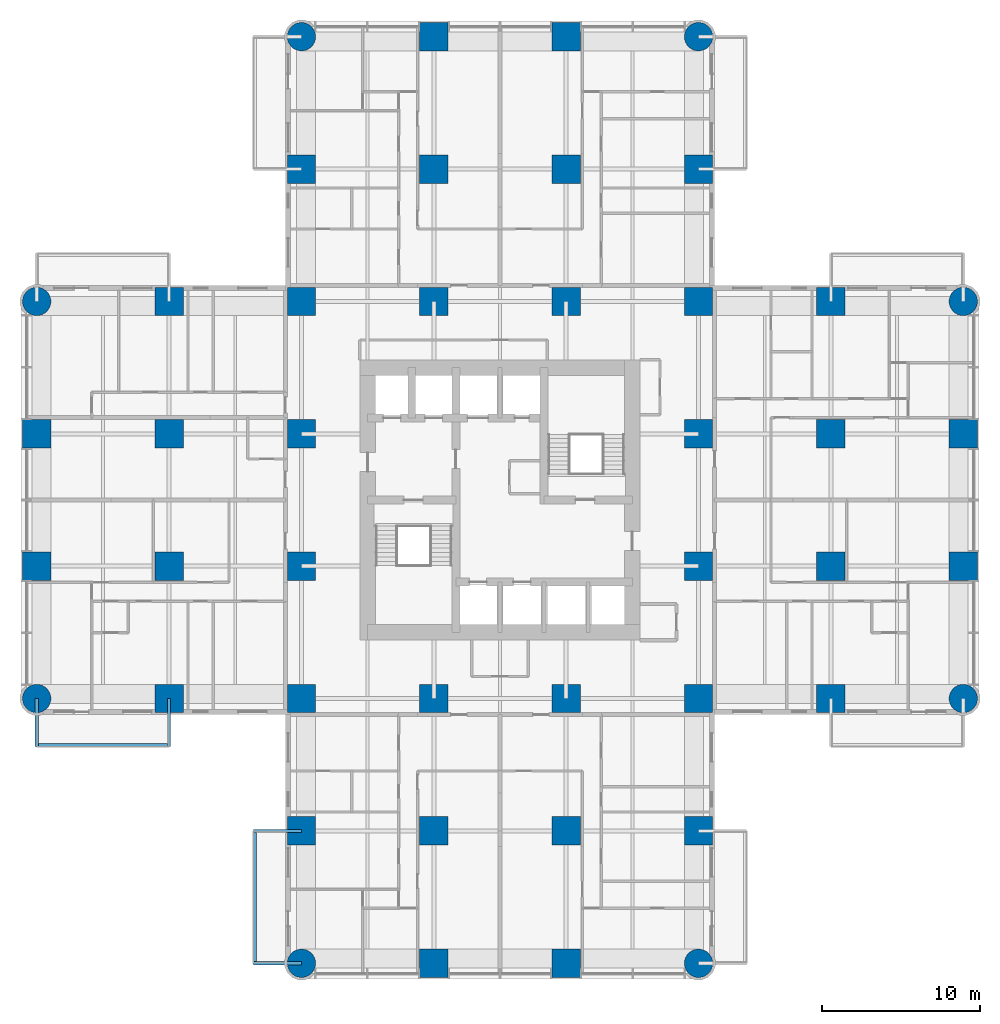
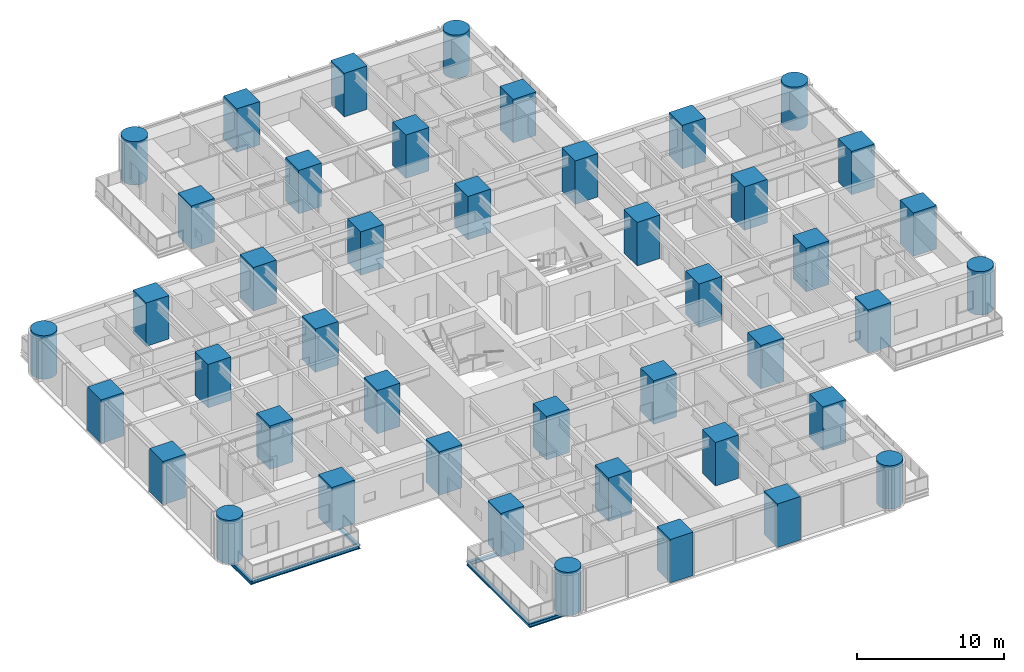
# One storey, part 1 of 17: 44 columns, 6 beams.
"""IFC4 building model written with IfcOpenShell, lengths in metres."""

from ifc_helpers import new_model, si_unit, direction, frame, origin, origin_2d, place, context, subcontext, project, spatial, rectangle, circle, i_section, extrude, material, material_profile, profile_set, type_object, element, save


model = new_model("IFC4")

# Units and contexts
model_context = context("Model", 3, precision=1e-05, world=origin(), true_north=direction((0.0, 1.0)))
body_context = subcontext(model_context, "Body", "Model", "MODEL_VIEW")
ifc_project = project(units=[si_unit("LENGTHUNIT", "METRE"), si_unit("AREAUNIT", "SQUARE_METRE"), si_unit("VOLUMEUNIT", "CUBIC_METRE"), si_unit("PLANEANGLEUNIT", "RADIAN"), si_unit("MASSUNIT", "GRAM", prefix="KILO")], contexts=[model_context])

# Site, building, storey
site_placement = place(None, origin())
site = spatial("IfcSite", under=ifc_project, at=site_placement, CompositionType="ELEMENT")
building_placement = place(site_placement, origin())
building = spatial("IfcBuilding", under=site, at=building_placement, Name="Torre Alcanfor", CompositionType="ELEMENT")
storey_placement = place(building_placement, frame((0.0, 0.0, 48.89990234375)))
storey = spatial("IfcBuildingStorey", under=building, at=storey_placement, Name="L11", CompositionType="ELEMENT", Elevation=48.89990234375)

# Columns
ifc_material_1 = material(Name="Concrete f'c 70 MPa", Category="concrete")
ifc_material_profile_1 = material_profile(ifc_material_1, rectangle(XDim=1.800048828125, YDim=1.800048828125, at=origin_2d()), Name="1800x1800")
ifc_profile_set_1 = profile_set([ifc_material_profile_1], Name="Concrete f'c 70 MPa")
column_type_1 = type_object("IfcColumnType", Name="RC column 1800x1800 f'c70", PredefinedType="COLUMN", material=ifc_profile_set_1)
for number, where, z_axis, x_axis, name in (
    (1, (0.0, 25.199951171875, 0.0), (0.0, 0.0, 1.0), (1.0, 0.0, 0.0), "Column 1/F L11"),
    (2, (0.0, 33.60009765625, 0.0), (0.0, 0.0, 1.0), (1.0, 0.0, 0.0), "Column 1/G L11"),
    (3, (8.39990234375, 16.800048828125, 0.0), (0.0, 0.0, 1.0), (1.0, 0.0, 0.0), "Column 2/E L11"),
    (4, (8.39990234375, 25.199951171875, 0.0), (0.0, 0.0, 1.0), (1.0, 0.0, 0.0), "Column 2/F L11"),
    (5, (8.39990234375, 33.60009765625, 0.0), (0.0, 0.0, 1.0), (1.0, 0.0, 0.0), "Column 2/G L11"),
    (6, (8.39990234375, 42.0, 0.0), (0.0, 0.0, 1.0), (1.0, 0.0, 0.0), "Column 2/H L11"),
    (7, (16.800048828125, 8.39990234375, 0.0), (0.0, 0.0, 1.0), (1.0, 0.0, 0.0), "Column 3/D L11"),
    (8, (16.800048828125, 16.800048828125, 0.0), (0.0, 0.0, 1.0), (1.0, 0.0, 0.0), "Column 3/E L11"),
    (9, (16.800048828125, 25.199951171875, 0.0), (0.0, 0.0, 1.0), (1.0, 0.0, 0.0), "Column 3/F L11"),
    (10, (16.800048828125, 33.60009765625, 0.0), (0.0, 0.0, 1.0), (1.0, 0.0, 0.0), "Column 3/G L11"),
    (11, (16.800048828125, 42.0, 0.0), (0.0, 0.0, 1.0), (1.0, 0.0, 0.0), "Column 3/H L11"),
    (12, (16.800048828125, 50.39990234375, 0.0), (0.0, 0.0, 1.0), (1.0, 0.0, 0.0), "Column 3/J L11"),
    (13, (25.199951171875, 0.0, 0.0), (0.0, 0.0, 1.0), (1.0, 0.0, 0.0), "Column 4/C L11"),
    (14, (25.199951171875, 8.39990234375, 0.0), (0.0, 0.0, 1.0), (1.0, 0.0, 0.0), "Column 4/D L11"),
    (15, (25.199951171875, 16.800048828125, 0.0), (0.0, 0.0, 1.0), (1.0, 0.0, 0.0), "Column 4/E L11"),
    (16, (25.199951171875, 42.0, 0.0), (0.0, 0.0, 1.0), (1.0, 0.0, 0.0), "Column 4/H L11"),
    (17, (25.199951171875, 50.39990234375, 0.0), (0.0, 0.0, 1.0), (1.0, 0.0, 0.0), "Column 4/J L11"),
    (18, (25.199951171875, 58.800048828125, 0.0), (0.0, 0.0, 1.0), (1.0, 0.0, 0.0), "Column 4/K L11"),
    (19, (33.60009765625, 0.0, 0.0), (0.0, 0.0, 1.0), (1.0, 0.0, 0.0), "Column 5/C L11"),
    (20, (33.60009765625, 8.39990234375, 0.0), (0.0, 0.0, 1.0), (1.0, 0.0, 0.0), "Column 5/D L11"),
    (21, (33.60009765625, 16.800048828125, 0.0), (0.0, 0.0, 1.0), (1.0, 0.0, 0.0), "Column 5/E L11"),
    (22, (33.60009765625, 42.0, 0.0), (0.0, 0.0, 1.0), (1.0, 0.0, 0.0), "Column 5/H L11"),
    (23, (33.60009765625, 50.39990234375, 0.0), (0.0, 0.0, 1.0), (1.0, 0.0, 0.0), "Column 5/J L11"),
    (24, (33.60009765625, 58.800048828125, 0.0), (0.0, 0.0, 1.0), (1.0, 0.0, 0.0), "Column 5/K L11"),
    (25, (42.0, 8.39990234375, 0.0), (0.0, 0.0, 1.0), (1.0, 0.0, 0.0), "Column 6/D L11"),
    (26, (42.0, 16.800048828125, 0.0), (0.0, 0.0, 1.0), (1.0, 0.0, 0.0), "Column 6/E L11"),
    (27, (42.0, 25.199951171875, 0.0), (0.0, 0.0, 1.0), (1.0, 0.0, 0.0), "Column 6/F L11"),
    (28, (42.0, 33.60009765625, 0.0), (0.0, 0.0, 1.0), (1.0, 0.0, 0.0), "Column 6/G L11"),
    (29, (42.0, 42.0, 0.0), (0.0, 0.0, 1.0), (1.0, 0.0, 0.0), "Column 6/H L11"),
    (30, (42.0, 50.39990234375, 0.0), (0.0, 0.0, 1.0), (1.0, 0.0, 0.0), "Column 6/J L11"),
    (31, (50.39990234375, 16.800048828125, 0.0), (0.0, 0.0, 1.0), (1.0, 0.0, 0.0), "Column 7/E L11"),
    (32, (50.39990234375, 25.199951171875, 0.0), (0.0, 0.0, 1.0), (1.0, 0.0, 0.0), "Column 7/F L11"),
    (33, (50.39990234375, 33.60009765625, 0.0), (0.0, 0.0, 1.0), (1.0, 0.0, 0.0), "Column 7/G L11"),
    (34, (50.39990234375, 42.0, 0.0), (0.0, 0.0, 1.0), (1.0, 0.0, 0.0), "Column 7/H L11"),
    (35, (58.800048828125, 25.199951171875, 0.0), (0.0, 0.0, 1.0), (1.0, 0.0, 0.0), "Column 8/F L11"),
    (36, (58.800048828125, 33.60009765625, 0.0), (0.0, 0.0, 1.0), (1.0, 0.0, 0.0), "Column 8/G L11"),
):
    element("IfcColumn", number, at=place(storey_placement, frame(where, z_axis=z_axis, x_axis=x_axis)), inside=storey, type_object=column_type_1, Name=name, PredefinedType="COLUMN", context=body_context, shape_type="SweptSolid", body=[
        extrude(rectangle(XDim=1.800048828125, YDim=1.800048828125, at=origin_2d()), origin(), (0.0, 0.0, 1.0), 3.60009765625),
    ])
ifc_material_2 = material(Name="Concrete f'c 70 MPa", Category="concrete")
ifc_material_profile_2 = material_profile(ifc_material_2, circle(Radius=0.89990234375, at=origin_2d()), Name="D1800")
ifc_profile_set_2 = profile_set([ifc_material_profile_2], Name="Concrete f'c 70 MPa")
column_type_2 = type_object("IfcColumnType", Name="RC column D1800 f'c70", PredefinedType="COLUMN", material=ifc_profile_set_2)
for number, where, z_axis, x_axis, name in (
    (37, (0.0, 16.800048828125, 0.0), (0.0, 0.0, 1.0), (1.0, 0.0, 0.0), "Column 1/E L11"),
    (38, (0.0, 42.0, 0.0), (0.0, 0.0, 1.0), (1.0, 0.0, 0.0), "Column 1/H L11"),
    (39, (16.800048828125, 0.0, 0.0), (0.0, 0.0, 1.0), (1.0, 0.0, 0.0), "Column 3/C L11"),
    (40, (16.800048828125, 58.800048828125, 0.0), (0.0, 0.0, 1.0), (1.0, 0.0, 0.0), "Column 3/K L11"),
    (41, (42.0, 0.0, 0.0), (0.0, 0.0, 1.0), (1.0, 0.0, 0.0), "Column 6/C L11"),
    (42, (42.0, 58.800048828125, 0.0), (0.0, 0.0, 1.0), (1.0, 0.0, 0.0), "Column 6/K L11"),
    (43, (58.800048828125, 16.800048828125, 0.0), (0.0, 0.0, 1.0), (1.0, 0.0, 0.0), "Column 8/E L11"),
    (44, (58.800048828125, 42.0, 0.0), (0.0, 0.0, 1.0), (1.0, 0.0, 0.0), "Column 8/H L11"),
):
    element("IfcColumn", number, at=place(storey_placement, frame(where, z_axis=z_axis, x_axis=x_axis)), inside=storey, type_object=column_type_2, Name=name, PredefinedType="COLUMN", context=body_context, shape_type="SweptSolid", body=[
        extrude(circle(Radius=0.89990234375, at=origin_2d()), origin(), (0.0, 0.0, 1.0), 3.60009765625),
    ])

# Beams
ifc_material_3 = material(Name="Steel ASTM A992 Grade 50", Category="steel")
ifc_material_profile_3 = material_profile(ifc_material_3, i_section(OverallWidth=0.205322265625, OverallDepth=0.309814453125, WebThickness=0.00927734375, FlangeThickness=0.016357421875, at=origin_2d()), Name="W12x50")
ifc_profile_set_3 = profile_set([ifc_material_profile_3], Name="Steel ASTM A992 Grade 50")
beam_type_1 = type_object("IfcBeamType", Name="Balcony cantilever beam W12x50", PredefinedType="BEAM", material=ifc_profile_set_3)
for number, where, z_axis, x_axis, name in (
    (45, (16.800048828125, 8.39990234375, -0.354736328125), (-1.0, 0.0, 0.0), (0.0, -1.0, 0.0), "Balcony cantilever beam L11-S2 1"),
    (46, (16.800048828125, 0.0, -0.354736328125), (-1.0, 0.0, 0.0), (0.0, -1.0, 0.0), "Balcony cantilever beam L11-S2 2"),
    (47, (8.39990234375, 16.800048828125, -0.354736328125), (0.0, -1.0, 0.0), (1.0, 0.0, 0.0), "Balcony cantilever beam L11-W1 1"),
    (48, (0.0, 16.800048828125, -0.354736328125), (0.0, -1.0, 0.0), (1.0, 0.0, 0.0), "Balcony cantilever beam L11-W1 2"),
):
    element("IfcBeam", number, at=place(storey_placement, frame(where, z_axis=z_axis, x_axis=x_axis)), inside=storey, type_object=beam_type_1, Name=name, PredefinedType="BEAM", context=body_context, shape_type="SweptSolid", body=[
        extrude(i_section(OverallWidth=0.205322265625, OverallDepth=0.309814453125, WebThickness=0.00927734375, FlangeThickness=0.016357421875, at=origin_2d()), origin(), (0.0, 0.0, 1.0), 3.050048828125),
    ])
ifc_material_4 = material(Name="Steel ASTM A992 Grade 50", Category="steel")
ifc_material_profile_4 = material_profile(ifc_material_4, i_section(OverallWidth=0.203369140625, OverallDepth=0.30224609375, WebThickness=0.007568359375, FlangeThickness=0.01318359375, at=origin_2d()), Name="W12x40")
ifc_profile_set_4 = profile_set([ifc_material_profile_4], Name="Steel ASTM A992 Grade 50")
beam_type_2 = type_object("IfcBeamType", Name="Balcony edge trimmer W12x40", PredefinedType="BEAM", material=ifc_profile_set_4)
for number, where, z_axis, x_axis, name in (
    (49, (13.851806640625, 8.39990234375, -0.35107421875), (0.0, -1.0, 0.0), (1.0, 0.0, 0.0), "Balcony edge trimmer L11-S2"),
    (50, (8.39990234375, 13.851806640625, -0.35107421875), (-1.0, 0.0, 0.0), (0.0, -1.0, 0.0), "Balcony edge trimmer L11-W1"),
):
    element("IfcBeam", number, at=place(storey_placement, frame(where, z_axis=z_axis, x_axis=x_axis)), inside=storey, type_object=beam_type_2, Name=name, PredefinedType="BEAM", context=body_context, shape_type="SweptSolid", body=[
        extrude(i_section(OverallWidth=0.203369140625, OverallDepth=0.30224609375, WebThickness=0.007568359375, FlangeThickness=0.01318359375, at=origin_2d()), origin(), (0.0, 0.0, 1.0), 8.39990234375),
    ])

save(model, "model.ifc")
